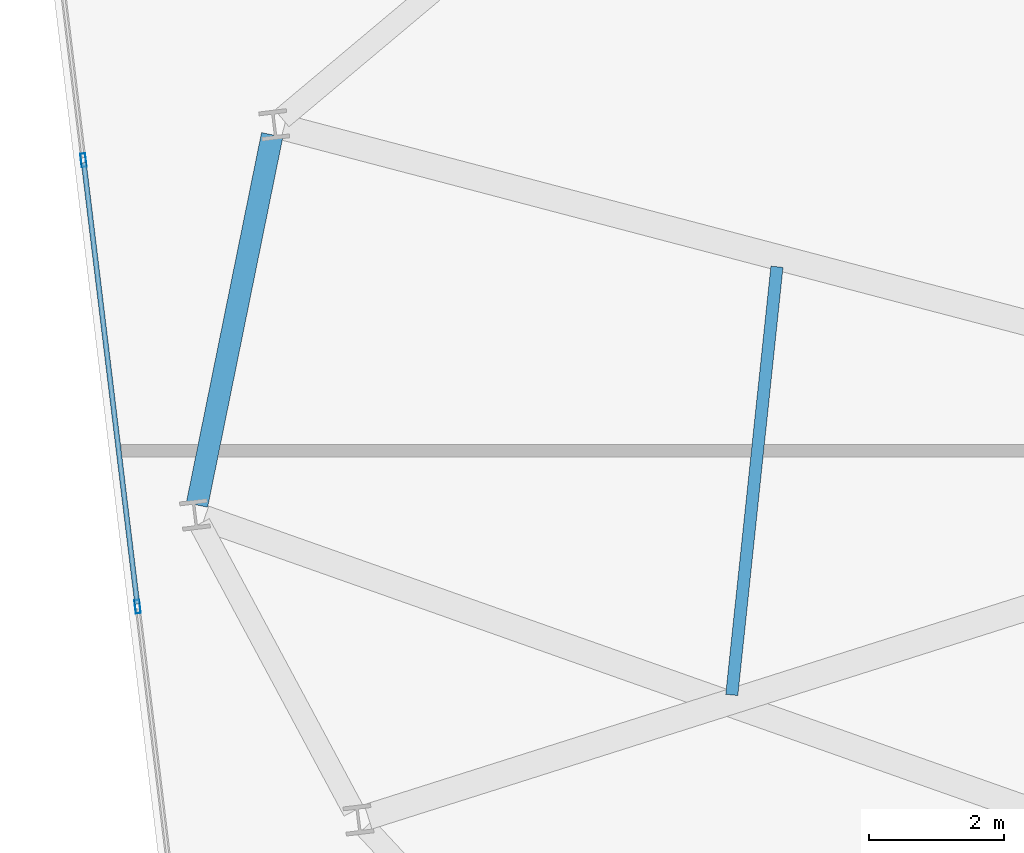
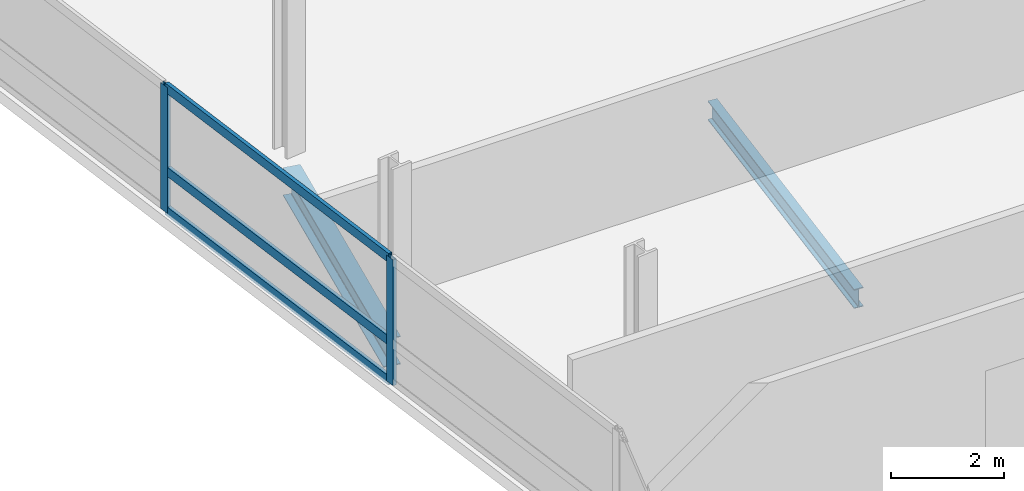
# One storey, part 6 of 23: 5 members, 2 beams, 1 element without a shape of its own.
"""IFC4 building model written with IfcOpenShell, lengths in metres."""

from ifc_helpers import new_model, si_unit, direction, frame, origin, origin_2d, place, context, subcontext, project, spatial, hollow_rectangle, i_section, extrude, material, layer, layer_set, material_profile, profile_set, type_object, element, aggregate, save


model = new_model("IFC4")

# Units and contexts
model_context = context("Model", 3, precision=1e-05, world=origin(), true_north=direction((0.0, 1.0)))
body_context = subcontext(model_context, "Body", "Model", "MODEL_VIEW")
ifc_project = project(units=[si_unit("LENGTHUNIT", "METRE"), si_unit("AREAUNIT", "SQUARE_METRE"), si_unit("VOLUMEUNIT", "CUBIC_METRE"), si_unit("PLANEANGLEUNIT", "RADIAN"), si_unit("MASSUNIT", "GRAM", prefix="KILO")], contexts=[model_context])

# Site, building, storey
site_placement = place(None, origin())
site = spatial("IfcSite", under=ifc_project, at=site_placement, CompositionType="ELEMENT")
building_placement = place(site_placement, origin())
building = spatial("IfcBuilding", under=site, at=building_placement, Name="Varnelok Gate Tower", CompositionType="ELEMENT")
storey_placement = place(building_placement, frame((0.0, 0.0, 174.60009765625)))
storey = spatial("IfcBuildingStorey", under=building, at=storey_placement, Name="L44", CompositionType="ELEMENT", Elevation=174.60009765625)

# Beams
ifc_material_1 = material(Name="Structural Steel ASTM A992 Grade 50", Category="steel")
ifc_material_profile_1 = material_profile(ifc_material_1, i_section(OverallWidth=0.180908203125, OverallDepth=0.4169921875, WebThickness=0.010986328125, FlangeThickness=0.018310546875, FilletRadius=0.013916015625, at=origin_2d()), Name="W16X57")
ifc_profile_set_1 = profile_set([ifc_material_profile_1], Name="Structural Steel ASTM A992 Grade 50")
beam_type_1 = type_object("IfcBeamType", Name="BM-JST-W16X57", PredefinedType="JOIST", material=ifc_profile_set_1)
beam_1_placement = place(storey_placement, frame((13.3916015625, 29.432861328125, -0.45849609375), z_axis=(-0.104937140232, -0.994478856789, 0.0), x_axis=(0.994478856789, -0.104937140232, 0.0)))
element("IfcBeam", 1, at=beam_1_placement, inside=storey, type_object=beam_type_1, Name="L44 Sector Floor Joist 11", PredefinedType="JOIST", context=body_context, shape_type="SweptSolid", body=[
    extrude(i_section(OverallWidth=0.180908203125, OverallDepth=0.4169921875, WebThickness=0.010986328125, FlangeThickness=0.018310546875, FilletRadius=0.013916015625, at=origin_2d()), origin(), (0.0, 0.0, 1.0), 6.395751953125),
])
ifc_material_profile_2 = material_profile(ifc_material_1, i_section(OverallWidth=0.323974609375, OverallDepth=0.611083984375, WebThickness=0.0126953125, FlangeThickness=0.01904296875, FilletRadius=0.01806640625, at=origin_2d()), Name="W24X104")
ifc_profile_set_2 = profile_set([ifc_material_profile_2], Name="Structural Steel ASTM A992 Grade 50")
beam_type_2 = type_object("IfcBeamType", Name="BM-SPN-W24X104", PredefinedType="SPANDREL", material=ifc_profile_set_2)
beam_2_placement = place(storey_placement, frame((5.893310546875, 31.393798828125, -0.5556640625), z_axis=(-0.199143476404, -0.97997034435, 0.0), x_axis=(0.97997034435, -0.199143476404, 0.0)))
element("IfcBeam", 2, at=beam_2_placement, inside=storey, type_object=beam_type_2, Name="L44 Perimeter Spandrel Beam 14", PredefinedType="SPANDREL", context=body_context, shape_type="SweptSolid", body=[
    extrude(i_section(OverallWidth=0.323974609375, OverallDepth=0.611083984375, WebThickness=0.0126953125, FlangeThickness=0.01904296875, FilletRadius=0.01806640625, at=origin_2d()), origin(), (0.0, 0.0, 1.0), 5.6123046875),
])

# Curtain wall, members
ifc_material_2 = material(Name="Anodized Aluminum Alloy 6063-T6", Category="aluminium")
ifc_layer = layer(ifc_material_2, 0.179931640625)
ifc_layer_set = layer_set([ifc_layer], Name="Anodized Aluminum Alloy 6063-T6")
curtain_wall_type = type_object("IfcCurtainWallType", Name="CW4-RESIDENCE-VISION", PredefinedType="USERDEFINED", material=ifc_layer_set)
curtain_wall_placement = place(storey_placement, origin())
curtain_wall = element("IfcCurtainWall", 3, at=curtain_wall_placement, inside=storey, type_object=curtain_wall_type, Name="L44 West End Vision Curtain Wall", ObjectType="UNITISED CURTAIN WALL", PredefinedType="USERDEFINED")
ifc_material_profile_3 = material_profile(ifc_material_2, hollow_rectangle(XDim=0.074951171875, YDim=0.199951171875, WallThickness=0.00390625, at=origin_2d()), Name="ALU200X75X4")
ifc_profile_set_3 = profile_set([ifc_material_profile_3], Name="Anodized Aluminum Alloy 6063-T6")
member_type_1 = type_object("IfcMemberType", Name="CW-MULL-200", PredefinedType="MULLION", material=ifc_profile_set_3)
member_1_placement = place(storey_placement, frame((3.8935546875, 24.384521484375, 0.0), z_axis=(0.0, 0.0, 1.0), x_axis=(-0.992732188751, -0.120344511371, 0.0)))
member_1 = element("IfcMember", 4, at=member_1_placement, type_object=member_type_1, Name="CW4 mullion 4", PredefinedType="MULLION", context=body_context, shape_type="SweptSolid", body=[
    extrude(hollow_rectangle(XDim=0.074951171875, YDim=0.199951171875, WallThickness=0.00390625, at=origin_2d()), origin(), (0.0, 0.0, 1.0), 2.72998046875),
])
member_2_placement = place(storey_placement, frame((3.089599609375, 31.015869140625, 0.0), z_axis=(0.0, 0.0, 1.0), x_axis=(-0.992732188751, -0.120344511371, 0.0)))
member_2 = element("IfcMember", 5, at=member_2_placement, type_object=member_type_1, Name="CW4 mullion 5", PredefinedType="MULLION", context=body_context, shape_type="SweptSolid", body=[
    extrude(hollow_rectangle(XDim=0.074951171875, YDim=0.199951171875, WallThickness=0.00390625, at=origin_2d()), origin(), (0.0, 0.0, 1.0), 2.72998046875),
])
ifc_material_profile_4 = material_profile(ifc_material_2, hollow_rectangle(XDim=0.074951171875, YDim=0.199951171875, WallThickness=0.00390625, at=origin_2d()), Name="ALU200X75X4")
ifc_profile_set_4 = profile_set([ifc_material_profile_4], Name="Anodized Aluminum Alloy 6063-T6")
member_type_2 = type_object("IfcMemberType", Name="CW-TRAN-200", PredefinedType="USERDEFINED", material=ifc_profile_set_4)
member_3_placement = place(storey_placement, frame((3.88916015625, 24.421630859375, 0.037353515625), z_axis=(-0.120353445289, 0.992731105691, 0.0), x_axis=(-0.992731105691, -0.120353445289, 0.0)))
member_3 = element("IfcMember", 6, at=member_3_placement, type_object=member_type_2, Name="CW4 transom 4.1", ObjectType="TRANSOM", PredefinedType="USERDEFINED", context=body_context, shape_type="SweptSolid", body=[
    extrude(hollow_rectangle(XDim=0.074951171875, YDim=0.199951171875, WallThickness=0.00390625, at=origin_2d()), origin(), (0.0, 0.0, 1.0), 6.60498046875),
])
member_4_placement = place(storey_placement, frame((3.88916015625, 24.421630859375, 0.89990234375), z_axis=(-0.120353445289, 0.992731105691, 0.0), x_axis=(-0.992731105691, -0.120353445289, 0.0)))
member_4 = element("IfcMember", 7, at=member_4_placement, type_object=member_type_2, Name="CW4 transom 4.2", ObjectType="TRANSOM", PredefinedType="USERDEFINED", context=body_context, shape_type="SweptSolid", body=[
    extrude(hollow_rectangle(XDim=0.074951171875, YDim=0.199951171875, WallThickness=0.00390625, at=origin_2d()), origin(), (0.0, 0.0, 1.0), 6.60498046875),
])
member_5_placement = place(storey_placement, frame((3.88916015625, 24.421630859375, 2.6923828125), z_axis=(-0.120353445289, 0.992731105691, 0.0), x_axis=(-0.992731105691, -0.120353445289, 0.0)))
member_5 = element("IfcMember", 8, at=member_5_placement, type_object=member_type_2, Name="CW4 transom 4.3", ObjectType="TRANSOM", PredefinedType="USERDEFINED", context=body_context, shape_type="SweptSolid", body=[
    extrude(hollow_rectangle(XDim=0.074951171875, YDim=0.199951171875, WallThickness=0.00390625, at=origin_2d()), origin(), (0.0, 0.0, 1.0), 6.60498046875),
])
aggregate(curtain_wall, [member_1, member_2, member_3, member_4, member_5])

save(model, "model.ifc")
